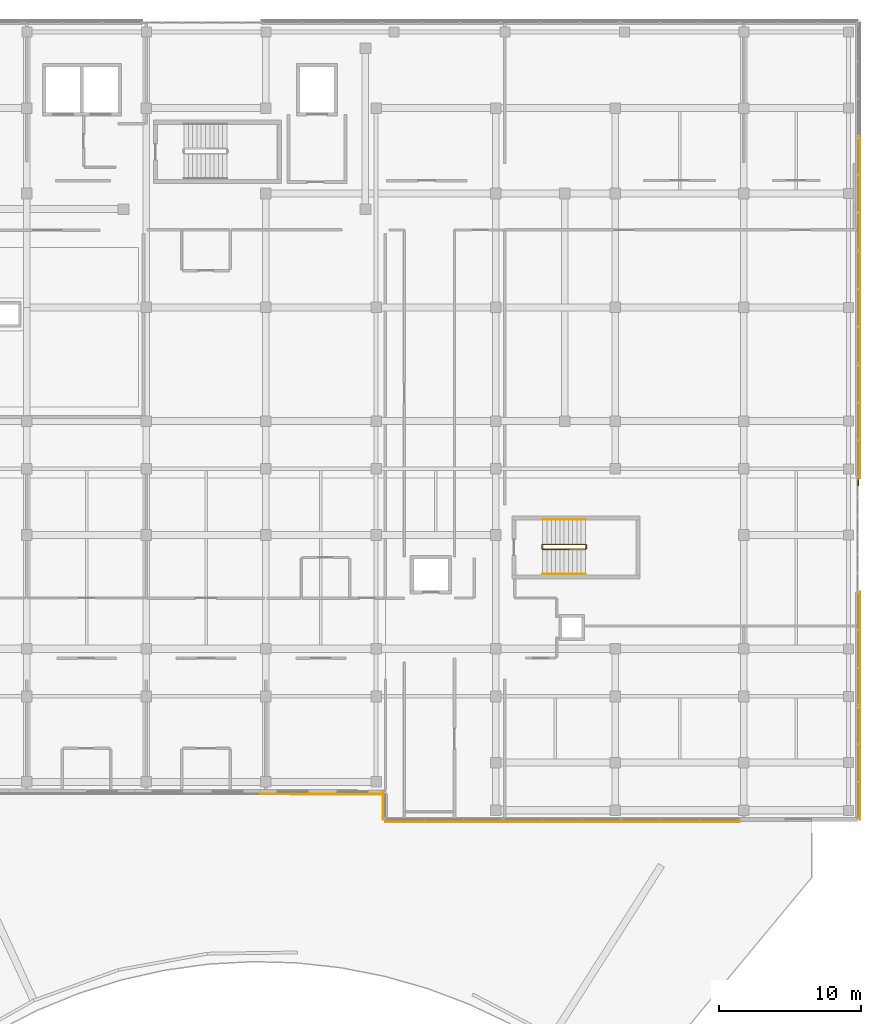
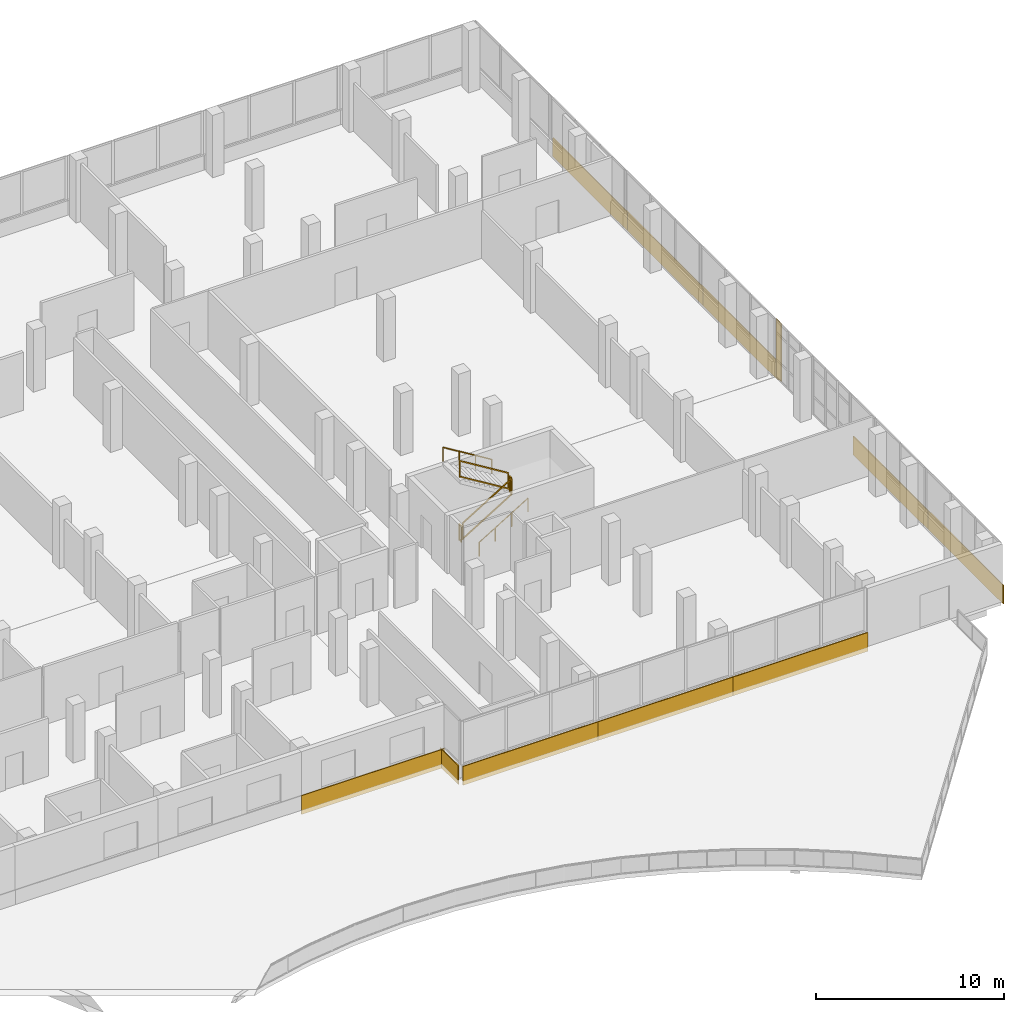
# One storey, part 100 of 101: 11 coverings, 6 railings.
"""IFC4 building model written with IfcOpenShell, lengths in metres."""

from ifc_helpers import new_model, si_unit, direction, frame, origin, origin_2d, place, context, subcontext, project, spatial, rectangle, circle, extrude, material, layer, layer_set, type_object, element, save


model = new_model("IFC4")

# Units and contexts
model_context = context("Model", 3, precision=1e-05, world=origin(), true_north=direction((0.0, 1.0)))
body_context = subcontext(model_context, "Body", "Model", "MODEL_VIEW")
ifc_project = project(units=[si_unit("LENGTHUNIT", "METRE"), si_unit("AREAUNIT", "SQUARE_METRE"), si_unit("VOLUMEUNIT", "CUBIC_METRE"), si_unit("PLANEANGLEUNIT", "RADIAN"), si_unit("MASSUNIT", "GRAM", prefix="KILO")], contexts=[model_context])

# Site, building, storey
site_placement = place(None, origin())
site = spatial("IfcSite", under=ifc_project, at=site_placement, CompositionType="ELEMENT")
building_placement = place(site_placement, origin())
building = spatial("IfcBuilding", under=site, at=building_placement, Name="Selatvlak General Hospital", CompositionType="ELEMENT")
storey_placement = place(building_placement, frame((0.0, 0.0, 19.199951171875)))
storey = spatial("IfcBuildingStorey", under=building, at=storey_placement, Name="L04", CompositionType="ELEMENT", Elevation=19.199951171875)

# Coverings
ifc_material_1 = material(Name="White Bauhaus fair-faced cladding panel")
ifc_layer = layer(ifc_material_1, 0.054931640625, Name="White Bauhaus fair-faced cladding panel")
ifc_layer_set = layer_set([ifc_layer], Name="White Bauhaus fair-faced cladding panel")
covering_type = type_object("IfcCoveringType", Name="COV-WHT1", PredefinedType="CLADDING", material=ifc_layer_set)
covering_1_placement = place(storey_placement, frame((182.1640625, 108.0009765625, -0.27978515625), z_axis=(0.0, 0.0, 1.0), x_axis=(0.000122173047, -0.999999992537, 0.0)))
element("IfcCovering", 1, at=covering_1_placement, inside=storey, type_object=covering_type, Name="L04 Bauhaus horizontal white spandrel band 0320", PredefinedType="CLADDING", context=body_context, shape_type="SweptSolid", body=[
    extrude(rectangle(XDim=7.9990234375, YDim=0.054931640625, at=origin_2d()), origin(), (0.0, 0.0, 1.0), 1.219970703125),
])
for number, where, z_axis, x_axis, name in (
    (2, (182.1650390625, 100.0009765625, -0.27978515625), (0.0, 0.0, 1.0), (0.0, -1.0, 0.0), "L04 Bauhaus horizontal white spandrel band 0321"),
    (3, (182.1650390625, 92.0009765625, -0.27978515625), (0.0, 0.0, 1.0), (0.0, -1.0, 0.0), "L04 Bauhaus horizontal white spandrel band 0322"),
):
    element("IfcCovering", number, at=place(storey_placement, frame(where, z_axis=z_axis, x_axis=x_axis)), inside=storey, type_object=covering_type, Name=name, PredefinedType="CLADDING", context=body_context, shape_type="SweptSolid", body=[
        extrude(rectangle(XDim=8.0, YDim=0.054931640625, at=origin_2d()), origin(), (0.0, 0.0, 1.0), 1.219970703125),
    ])
covering_2_placement = place(storey_placement, frame((182.044921875, 87.72607421875, 0.0), z_axis=(0.0, 0.0, 1.0), x_axis=(0.0, -1.0, 0.0)))
element("IfcCovering", 4, at=covering_2_placement, inside=storey, type_object=covering_type, Name="L04 Bauhaus vertical core pilaster 0323", PredefinedType="CLADDING", context=body_context, shape_type="SweptSolid", body=[
    extrude(rectangle(XDim=0.550048828125, YDim=0.054931640625, at=origin_2d()), origin(), (0.0, 0.0, 1.0), 3.77001953125),
])
for number, where, z_axis, x_axis, name in (
    (5, (182.1650390625, 76.0009765625, -0.27978515625), (0.0, 0.0, 1.0), (0.0, -1.0, 0.0), "L04 Bauhaus horizontal white spandrel band 0324"),
    (6, (182.1650390625, 68.0009765625, -0.27978515625), (0.0, 0.0, 1.0), (0.0, -1.0, 0.0), "L04 Bauhaus horizontal white spandrel band 0325"),
):
    element("IfcCovering", number, at=place(storey_placement, frame(where, z_axis=z_axis, x_axis=x_axis)), inside=storey, type_object=covering_type, Name=name, PredefinedType="CLADDING", context=body_context, shape_type="SweptSolid", body=[
        extrude(rectangle(XDim=8.0, YDim=0.054931640625, at=origin_2d()), origin(), (0.0, 0.0, 1.0), 1.219970703125),
    ])
covering_3_placement = place(storey_placement, frame((169.550048828125, 63.8359375, -0.27978515625), z_axis=(0.0, 0.0, 1.0), x_axis=(-1.0, 0.0, 0.0)))
element("IfcCovering", 7, at=covering_3_placement, inside=storey, type_object=covering_type, Name="L04 Bauhaus horizontal white spandrel band 0326", PredefinedType="CLADDING", context=body_context, shape_type="SweptSolid", body=[
    extrude(rectangle(XDim=8.300048828125, YDim=0.054931640625, at=origin_2d()), origin(), (0.0, 0.0, 1.0), 1.219970703125),
])
covering_4_placement = place(storey_placement, frame((161.2509765625, 63.8359375, -0.27978515625), z_axis=(0.0, 0.0, 1.0), x_axis=(-0.999999992537, -0.000122173047, 0.0)))
element("IfcCovering", 8, at=covering_4_placement, inside=storey, type_object=covering_type, Name="L04 Bauhaus horizontal white spandrel band 0327", PredefinedType="CLADDING", context=body_context, shape_type="SweptSolid", body=[
    extrude(rectangle(XDim=8.299072265625, YDim=0.054931640625, at=origin_2d()), origin(), (0.0, 0.0, 1.0), 1.219970703125),
])
covering_5_placement = place(storey_placement, frame((152.950927734375, 63.8349609375, -0.27978515625), z_axis=(0.0, 0.0, 1.0), x_axis=(-1.0, 0.0, 0.0)))
element("IfcCovering", 9, at=covering_5_placement, inside=storey, type_object=covering_type, Name="L04 Bauhaus horizontal white spandrel band 0328", PredefinedType="CLADDING", context=body_context, shape_type="SweptSolid", body=[
    extrude(rectangle(XDim=8.300048828125, YDim=0.054931640625, at=origin_2d()), origin(), (0.0, 0.0, 1.0), 1.219970703125),
])
covering_6_placement = place(storey_placement, frame((148.635986328125, 64.969970703125, -0.27978515625), z_axis=(0.0, 0.0, 1.0), x_axis=(-0.000523598752, 0.999999862922, 0.0)))
element("IfcCovering", 10, at=covering_6_placement, inside=storey, type_object=covering_type, Name="L04 Bauhaus horizontal white spandrel band 0329", PredefinedType="CLADDING", context=body_context, shape_type="SweptSolid", body=[
    extrude(rectangle(XDim=1.93994140625, YDim=0.054931640625, at=origin_2d()), origin(), (0.0, 0.0, 1.0), 1.219970703125),
])
covering_7_placement = place(storey_placement, frame((144.39990234375, 65.782958984375, -0.27978515625), z_axis=(0.0, 0.0, 1.0), x_axis=(-0.999998537228, 0.001710421833, 0.0)))
element("IfcCovering", 11, at=covering_7_placement, inside=storey, type_object=covering_type, Name="L04 Bauhaus horizontal white spandrel band 0330", PredefinedType="CLADDING", context=body_context, shape_type="SweptSolid", body=[
    extrude(rectangle(XDim=8.800048828125, YDim=0.054931640625, at=origin_2d()), origin(), (0.0, 0.0, 1.0), 1.219970703125),
])

# Railings
ifc_material_2 = material(Name="Stainless steel 316 stair guard", Category="steel")
railing_type_1 = type_object("IfcRailingType", Name="RAIL-STG", PredefinedType="GUARDRAIL", material=ifc_material_2)
railing_1_placement = place(storey_placement, frame((159.860107421875, 83.010009765625, 0.18408203125)))
element("IfcRailing", 12, at=railing_1_placement, inside=storey, type_object=railing_type_1, Name="L04 ST-06 stair guard 1", PredefinedType="GUARDRAIL", context=body_context, shape_type="SweptSolid", body=[
    extrude(rectangle(XDim=0.068115234375, YDim=0.068115234375, at=origin_2d()), frame((0.00244140625, 0.0, 1.067626953125), z_axis=(0.852303052018, 0.0, 0.52304828412), x_axis=(0.0, 1.0, 0.0)), (0.0, 0.0, 1.0), 3.513916015625),
    extrude(rectangle(XDim=0.068115234375, YDim=0.068115234375, at=origin_2d()), frame((0.00244140625, 0.0, 0.050537109375), z_axis=(0.852303052018, 0.0, 0.52304828412), x_axis=(0.0, 1.0, 0.0)), (0.0, 0.0, 1.0), 3.513916015625),
    extrude(rectangle(XDim=0.055908203125, YDim=0.055908203125, at=origin_2d()), origin(), (0.0, 0.0, 1.0), 1.029052734375),
    extrude(rectangle(XDim=0.055908203125, YDim=0.055908203125, at=origin_2d()), frame((3.0, 0.0, 1.841064453125)), (0.0, 0.0, 1.0), 1.029052734375),
])
railing_2_placement = place(storey_placement, frame((162.909912109375, 83.06005859375, 2.025146484375)))
element("IfcRailing", 13, at=railing_2_placement, inside=storey, type_object=railing_type_1, Name="L04 ST-06 stair guard 2", PredefinedType="GUARDRAIL", context=body_context, shape_type="SweptSolid", body=[
    extrude(rectangle(XDim=0.068115234375, YDim=0.068115234375, at=origin_2d()), frame((0.0, 0.0029296875, 1.06591796875), z_axis=(0.0, 1.0, 0.0), x_axis=(-1.0, 0.0, 0.0)), (0.0, 0.0, 1.0), 0.214111328125),
    extrude(rectangle(XDim=0.068115234375, YDim=0.068115234375, at=origin_2d()), frame((0.0, 0.0029296875, 0.049072265625), z_axis=(0.0, 1.0, 0.0), x_axis=(-1.0, 0.0, 0.0)), (0.0, 0.0, 1.0), 0.214111328125),
    extrude(rectangle(XDim=0.055908203125, YDim=0.055908203125, at=origin_2d()), origin(), (0.0, 0.0, 1.0), 1.029052734375),
    extrude(rectangle(XDim=0.055908203125, YDim=0.055908203125, at=origin_2d()), frame((0.0, 0.219970703125, 0.0)), (0.0, 0.0, 1.0), 1.029052734375),
])
railing_3_placement = place(storey_placement, frame((162.860107421875, 83.330078125, 2.209228515625)))
element("IfcRailing", 14, at=railing_3_placement, inside=storey, type_object=railing_type_1, Name="L04 ST-06 stair guard 3", PredefinedType="GUARDRAIL", context=body_context, shape_type="SweptSolid", body=[
    extrude(rectangle(XDim=0.068115234375, YDim=0.068115234375, at=origin_2d()), frame((-0.00244140625, 0.0, 1.067626953125), z_axis=(-0.852333972304, 0.0, 0.522997896417), x_axis=(0.0, -1.0, 0.0)), (0.0, 0.0, 1.0), 3.513916015625),
    extrude(rectangle(XDim=0.068115234375, YDim=0.068115234375, at=origin_2d()), frame((-0.00244140625, 0.0, 0.050537109375), z_axis=(-0.852333972304, 0.0, 0.522997896417), x_axis=(0.0, -1.0, 0.0)), (0.0, 0.0, 1.0), 3.513916015625),
    extrude(rectangle(XDim=0.055908203125, YDim=0.055908203125, at=origin_2d()), origin(), (0.0, 0.0, 1.0), 1.029052734375),
    extrude(rectangle(XDim=0.055908203125, YDim=0.055908203125, at=origin_2d()), frame((-3.0, 0.0, 1.8408203125)), (0.0, 0.0, 1.0), 1.029052734375),
])
railing_4_placement = place(storey_placement, frame((159.81005859375, 83.06005859375, 0.0)))
element("IfcRailing", 15, at=railing_4_placement, inside=storey, type_object=railing_type_1, Name="L04 ST-06 stair guard 4", PredefinedType="GUARDRAIL", context=body_context, shape_type="SweptSolid", body=[
    extrude(rectangle(XDim=0.068115234375, YDim=0.068115234375, at=origin_2d()), frame((0.0, 0.0029296875, 1.06591796875), z_axis=(0.0, 1.0, 0.0), x_axis=(-1.0, 0.0, 0.0)), (0.0, 0.0, 1.0), 0.214111328125),
    extrude(rectangle(XDim=0.068115234375, YDim=0.068115234375, at=origin_2d()), frame((0.0, 0.0029296875, 0.049072265625), z_axis=(0.0, 1.0, 0.0), x_axis=(-1.0, 0.0, 0.0)), (0.0, 0.0, 1.0), 0.214111328125),
    extrude(rectangle(XDim=0.055908203125, YDim=0.055908203125, at=origin_2d()), origin(), (0.0, 0.0, 1.0), 1.029052734375),
    extrude(rectangle(XDim=0.055908203125, YDim=0.055908203125, at=origin_2d()), frame((0.0, 0.219970703125, 0.0)), (0.0, 0.0, 1.0), 1.029052734375),
])
ifc_material_3 = material(Name="Stainless steel 316 handrail", Category="steel")
railing_type_2 = type_object("IfcRailingType", Name="RAIL-STH", PredefinedType="HANDRAIL", material=ifc_material_3)
railing_5_placement = place(storey_placement, frame((159.860107421875, 81.25, 0.18408203125)))
element("IfcRailing", 16, at=railing_5_placement, inside=storey, type_object=railing_type_2, Name="L04 ST-06 stair handrail 1", PredefinedType="HANDRAIL", context=body_context, shape_type="SweptSolid", body=[
    extrude(circle(Radius=0.02392578125, at=origin_2d()), frame((0.00244140625, 0.0, 0.87744140625), z_axis=(0.852303052018, 0.0, 0.52304828412), x_axis=(0.0, 1.0, 0.0)), (0.0, 0.0, 1.0), 3.513916015625),
    extrude(circle(Radius=0.02099609375, at=origin_2d()), origin(), (0.0, 0.0, 1.0), 0.848876953125),
    extrude(circle(Radius=0.02099609375, at=origin_2d()), frame((1.0, 0.0, 0.61376953125)), (0.0, 0.0, 1.0), 0.848876953125),
    extrude(circle(Radius=0.02099609375, at=origin_2d()), frame((2.0, 0.0, 1.227294921875)), (0.0, 0.0, 1.0), 0.848876953125),
    extrude(circle(Radius=0.02099609375, at=origin_2d()), frame((3.0, 0.0, 1.841064453125)), (0.0, 0.0, 1.0), 0.848876953125),
])
railing_6_placement = place(storey_placement, frame((162.860107421875, 85.090087890625, 2.209228515625)))
element("IfcRailing", 17, at=railing_6_placement, inside=storey, type_object=railing_type_2, Name="L04 ST-06 stair handrail 2", PredefinedType="HANDRAIL", context=body_context, shape_type="SweptSolid", body=[
    extrude(circle(Radius=0.02392578125, at=origin_2d()), frame((-0.00244140625, 0.0, 0.87744140625), z_axis=(-0.852333972304, 0.0, 0.522997896417), x_axis=(0.0, -1.0, 0.0)), (0.0, 0.0, 1.0), 3.513916015625),
    extrude(circle(Radius=0.02099609375, at=origin_2d()), origin(), (0.0, 0.0, 1.0), 0.848876953125),
    extrude(circle(Radius=0.02099609375, at=origin_2d()), frame((-1.0, 0.0, 0.613525390625)), (0.0, 0.0, 1.0), 0.848876953125),
    extrude(circle(Radius=0.02099609375, at=origin_2d()), frame((-2.0, 0.0, 1.227294921875)), (0.0, 0.0, 1.0), 0.848876953125),
    extrude(circle(Radius=0.02099609375, at=origin_2d()), frame((-3.0, 0.0, 1.8408203125)), (0.0, 0.0, 1.0), 0.848876953125),
])

save(model, "model.ifc")
